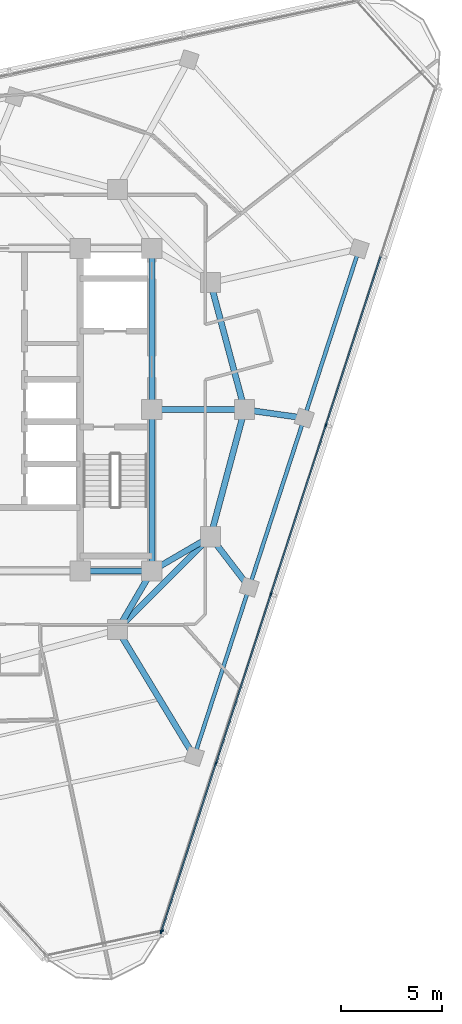
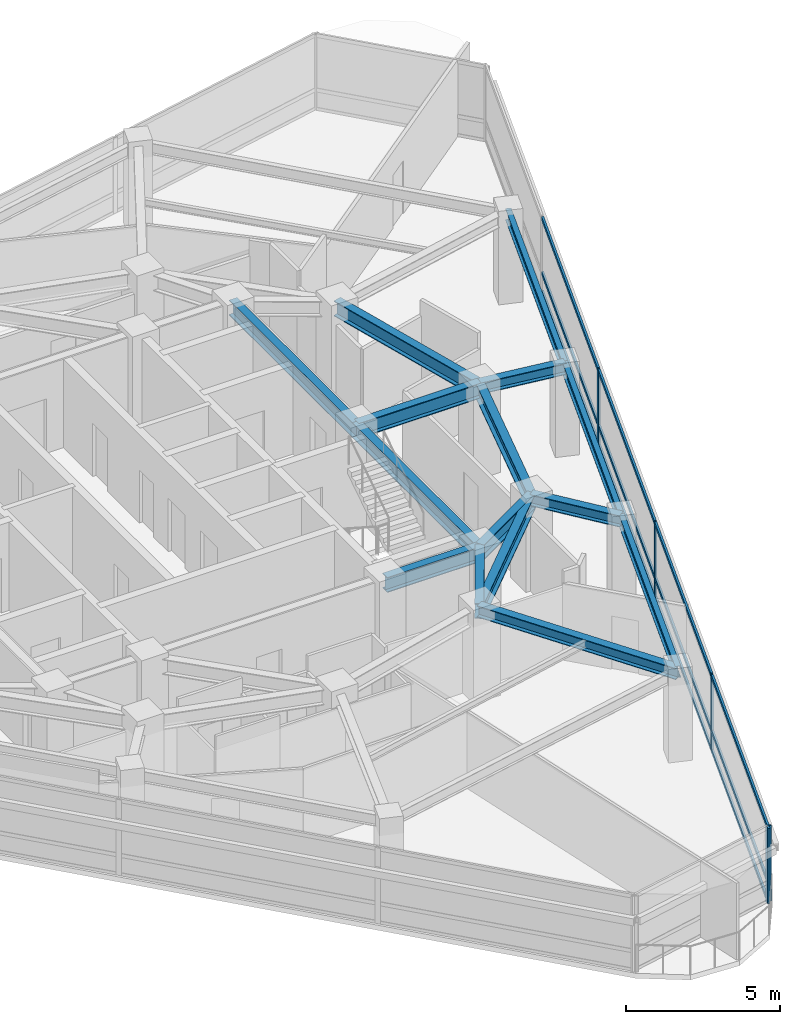
# One storey, part 4 of 15: 17 members, 15 beams, 2 elements without a shape of their own.
"""IFC4 building model written with IfcOpenShell, lengths in metres."""

from ifc_helpers import new_model, si_unit, direction, frame, origin, origin_2d, place, context, subcontext, project, spatial, rectangle, i_section, extrude, material, layer, layer_set, material_profile, profile_set, type_object, element, aggregate, save


model = new_model("IFC4")

# Units and contexts
model_context = context("Model", 3, precision=1e-05, world=origin(), true_north=direction((0.0, 1.0)))
body_context = subcontext(model_context, "Body", "Model", "MODEL_VIEW")
ifc_project = project(units=[si_unit("LENGTHUNIT", "METRE"), si_unit("AREAUNIT", "SQUARE_METRE"), si_unit("VOLUMEUNIT", "CUBIC_METRE"), si_unit("PLANEANGLEUNIT", "RADIAN"), si_unit("MASSUNIT", "GRAM", prefix="KILO")], contexts=[model_context])

# Site, building, storey
site_placement = place(None, origin())
site = spatial("IfcSite", under=ifc_project, at=site_placement, CompositionType="ELEMENT")
building_placement = place(site_placement, origin())
building = spatial("IfcBuilding", under=site, at=building_placement, Name="Terralouvre Media Tower", CompositionType="ELEMENT")
storey_placement = place(building_placement, frame((0.0, 0.0, 283.199951171875)))
storey = spatial("IfcBuildingStorey", under=building, at=storey_placement, Name="L73", CompositionType="ELEMENT", Elevation=283.199951171875)

# Curtain wall, members
ifc_material_1 = material(Name="Low-iron laminated double glazing with solar-control coating", Category="glass")
ifc_layer_1 = layer(ifc_material_1, 0.1650390625, Name="Faceted Glass-Point Crown Curtain Wall CW-06")
ifc_layer_set_1 = layer_set([ifc_layer_1], Name="Low-iron laminated double glazing with solar-control coating")
curtain_wall_type_1 = type_object("IfcCurtainWallType", Name="Faceted Glass-Point Crown Curtain Wall CW-06", PredefinedType="NOTDEFINED", material=ifc_layer_set_1)
curtain_wall_1_placement = place(storey_placement, origin())
curtain_wall_1 = element("IfcCurtainWall", 1, at=curtain_wall_1_placement, inside=storey, type_object=curtain_wall_type_1, Name="L73 Facade Curtain Wall F0", PredefinedType="NOTDEFINED")
ifc_material_2 = material(Name="Anodised extruded aluminium 6063-T6", Category="aluminium")
ifc_material_profile_1 = material_profile(ifc_material_2, rectangle(XDim=0.074951171875, YDim=0.14990234375, at=origin_2d()), Name="ALU 75x150")
ifc_profile_set_1 = profile_set([ifc_material_profile_1], Name="Anodised extruded aluminium 6063-T6")
member_type_1 = type_object("IfcMemberType", Name="Curtain-Wall Horizontal Transom TR-150", PredefinedType="USERDEFINED", material=ifc_profile_set_1)
member_1_placement = place(storey_placement, frame((8.476806640625, -25.87060546875, 0.03759765625), z_axis=(0.309004958377, 0.951060426944, 0.0), x_axis=(-0.951060426944, 0.309004958377, 0.0)))
member_1 = element("IfcMember", 2, at=member_1_placement, type_object=member_type_1, Name="CW-06 transom 1.1", ObjectType="TRANSOM", PredefinedType="USERDEFINED", context=body_context, shape_type="SweptSolid", body=[
    extrude(rectangle(XDim=0.074951171875, YDim=0.14990234375, at=origin_2d()), origin(), (0.0, 0.0, 1.0), 8.71142578125),
])
member_2_placement = place(storey_placement, frame((8.476806640625, -25.87060546875, 0.800048828125), z_axis=(0.309004958377, 0.951060426944, 0.0), x_axis=(-0.951060426944, 0.309004958377, 0.0)))
member_2 = element("IfcMember", 3, at=member_2_placement, type_object=member_type_1, Name="CW-06 transom 1.2", ObjectType="TRANSOM", PredefinedType="USERDEFINED", context=body_context, shape_type="SweptSolid", body=[
    extrude(rectangle(XDim=0.074951171875, YDim=0.14990234375, at=origin_2d()), origin(), (0.0, 0.0, 1.0), 8.71142578125),
])
member_3_placement = place(storey_placement, frame((8.476806640625, -25.87060546875, 2.962646484375), z_axis=(0.309004958377, 0.951060426944, 0.0), x_axis=(-0.951060426944, 0.309004958377, 0.0)))
member_3 = element("IfcMember", 4, at=member_3_placement, type_object=member_type_1, Name="CW-06 transom 1.3", ObjectType="TRANSOM", PredefinedType="USERDEFINED", context=body_context, shape_type="SweptSolid", body=[
    extrude(rectangle(XDim=0.074951171875, YDim=0.14990234375, at=origin_2d()), origin(), (0.0, 0.0, 1.0), 8.71142578125),
])
member_4_placement = place(storey_placement, frame((11.19189453125, -17.51416015625, 0.03759765625), z_axis=(0.309019188079, 0.951055803515, 0.0), x_axis=(-0.951055803515, 0.309019188079, 0.0)))
member_4 = element("IfcMember", 5, at=member_4_placement, type_object=member_type_1, Name="CW-06 transom 2.1", ObjectType="TRANSOM", PredefinedType="USERDEFINED", context=body_context, shape_type="SweptSolid", body=[
    extrude(rectangle(XDim=0.074951171875, YDim=0.14990234375, at=origin_2d()), origin(), (0.0, 0.0, 1.0), 8.7490234375),
])
member_5_placement = place(storey_placement, frame((11.19189453125, -17.51416015625, 0.800048828125), z_axis=(0.309019188079, 0.951055803515, 0.0), x_axis=(-0.951055803515, 0.309019188079, 0.0)))
member_5 = element("IfcMember", 6, at=member_5_placement, type_object=member_type_1, Name="CW-06 transom 2.2", ObjectType="TRANSOM", PredefinedType="USERDEFINED", context=body_context, shape_type="SweptSolid", body=[
    extrude(rectangle(XDim=0.074951171875, YDim=0.14990234375, at=origin_2d()), origin(), (0.0, 0.0, 1.0), 8.7490234375),
])
member_6_placement = place(storey_placement, frame((11.19189453125, -17.51416015625, 2.962646484375), z_axis=(0.309019188079, 0.951055803515, 0.0), x_axis=(-0.951055803515, 0.309019188079, 0.0)))
member_6 = element("IfcMember", 7, at=member_6_placement, type_object=member_type_1, Name="CW-06 transom 2.3", ObjectType="TRANSOM", PredefinedType="USERDEFINED", context=body_context, shape_type="SweptSolid", body=[
    extrude(rectangle(XDim=0.074951171875, YDim=0.14990234375, at=origin_2d()), origin(), (0.0, 0.0, 1.0), 8.7490234375),
])
member_7_placement = place(storey_placement, frame((13.918701171875, -9.1220703125, 0.03759765625), z_axis=(0.309019188079, 0.951055803515, 0.0), x_axis=(-0.951055803515, 0.309019188079, 0.0)))
member_7 = element("IfcMember", 8, at=member_7_placement, type_object=member_type_1, Name="CW-06 transom 3.1", ObjectType="TRANSOM", PredefinedType="USERDEFINED", context=body_context, shape_type="SweptSolid", body=[
    extrude(rectangle(XDim=0.074951171875, YDim=0.14990234375, at=origin_2d()), origin(), (0.0, 0.0, 1.0), 8.7490234375),
])
member_8_placement = place(storey_placement, frame((13.918701171875, -9.1220703125, 0.800048828125), z_axis=(0.309019188079, 0.951055803515, 0.0), x_axis=(-0.951055803515, 0.309019188079, 0.0)))
member_8 = element("IfcMember", 9, at=member_8_placement, type_object=member_type_1, Name="CW-06 transom 3.2", ObjectType="TRANSOM", PredefinedType="USERDEFINED", context=body_context, shape_type="SweptSolid", body=[
    extrude(rectangle(XDim=0.074951171875, YDim=0.14990234375, at=origin_2d()), origin(), (0.0, 0.0, 1.0), 8.7490234375),
])
member_9_placement = place(storey_placement, frame((13.918701171875, -9.1220703125, 2.962646484375), z_axis=(0.309019188079, 0.951055803515, 0.0), x_axis=(-0.951055803515, 0.309019188079, 0.0)))
member_9 = element("IfcMember", 10, at=member_9_placement, type_object=member_type_1, Name="CW-06 transom 3.3", ObjectType="TRANSOM", PredefinedType="USERDEFINED", context=body_context, shape_type="SweptSolid", body=[
    extrude(rectangle(XDim=0.074951171875, YDim=0.14990234375, at=origin_2d()), origin(), (0.0, 0.0, 1.0), 8.7490234375),
])
member_10_placement = place(storey_placement, frame((16.6455078125, -0.72998046875, 0.03759765625), z_axis=(0.309019188079, 0.951055803515, 0.0), x_axis=(-0.951055803515, 0.309019188079, 0.0)))
member_10 = element("IfcMember", 11, at=member_10_placement, type_object=member_type_1, Name="CW-06 transom 4.1", ObjectType="TRANSOM", PredefinedType="USERDEFINED", context=body_context, shape_type="SweptSolid", body=[
    extrude(rectangle(XDim=0.074951171875, YDim=0.14990234375, at=origin_2d()), origin(), (0.0, 0.0, 1.0), 8.7490234375),
])
member_11_placement = place(storey_placement, frame((16.6455078125, -0.72998046875, 0.800048828125), z_axis=(0.309019188079, 0.951055803515, 0.0), x_axis=(-0.951055803515, 0.309019188079, 0.0)))
member_11 = element("IfcMember", 12, at=member_11_placement, type_object=member_type_1, Name="CW-06 transom 4.2", ObjectType="TRANSOM", PredefinedType="USERDEFINED", context=body_context, shape_type="SweptSolid", body=[
    extrude(rectangle(XDim=0.074951171875, YDim=0.14990234375, at=origin_2d()), origin(), (0.0, 0.0, 1.0), 8.7490234375),
])
member_12_placement = place(storey_placement, frame((16.6455078125, -0.72998046875, 2.962646484375), z_axis=(0.309019188079, 0.951055803515, 0.0), x_axis=(-0.951055803515, 0.309019188079, 0.0)))
member_12 = element("IfcMember", 13, at=member_12_placement, type_object=member_type_1, Name="CW-06 transom 4.3", ObjectType="TRANSOM", PredefinedType="USERDEFINED", context=body_context, shape_type="SweptSolid", body=[
    extrude(rectangle(XDim=0.074951171875, YDim=0.14990234375, at=origin_2d()), origin(), (0.0, 0.0, 1.0), 8.7490234375),
])
ifc_material_3 = material(Name="Anodised extruded aluminium 6063-T6", Category="aluminium")
ifc_material_profile_2 = material_profile(ifc_material_3, rectangle(XDim=0.074951171875, YDim=0.179931640625, at=origin_2d()), Name="ALU 75x180")
ifc_profile_set_2 = profile_set([ifc_material_profile_2], Name="Anodised extruded aluminium 6063-T6")
member_type_2 = type_object("IfcMemberType", Name="Curtain-Wall Vertical Mullion ML-180", PredefinedType="MULLION", material=ifc_profile_set_2)
member_13_placement = place(storey_placement, frame((8.465087890625, -25.90625, 0.0), z_axis=(0.0, 0.0, 1.0), x_axis=(-0.951056507337, 0.309017021946, 0.0)))
member_13 = element("IfcMember", 14, at=member_13_placement, type_object=member_type_2, Name="CW-06 mullion 1", PredefinedType="MULLION", context=body_context, shape_type="SweptSolid", body=[
    extrude(rectangle(XDim=0.074951171875, YDim=0.179931640625, at=origin_2d()), origin(), (0.0, 0.0, 1.0), 3.0),
])
member_14_placement = place(storey_placement, frame((11.180419921875, -17.5498046875, 0.0), z_axis=(0.0, 0.0, 1.0), x_axis=(-0.951056507337, 0.309017021946, 0.0)))
member_14 = element("IfcMember", 15, at=member_14_placement, type_object=member_type_2, Name="CW-06 mullion 2", PredefinedType="MULLION", context=body_context, shape_type="SweptSolid", body=[
    extrude(rectangle(XDim=0.074951171875, YDim=0.179931640625, at=origin_2d()), origin(), (0.0, 0.0, 1.0), 3.0),
])
member_15_placement = place(storey_placement, frame((13.9072265625, -9.15771484375, 0.0), z_axis=(0.0, 0.0, 1.0), x_axis=(-0.951056507337, 0.309017021946, 0.0)))
member_15 = element("IfcMember", 16, at=member_15_placement, type_object=member_type_2, Name="CW-06 mullion 3", PredefinedType="MULLION", context=body_context, shape_type="SweptSolid", body=[
    extrude(rectangle(XDim=0.074951171875, YDim=0.179931640625, at=origin_2d()), origin(), (0.0, 0.0, 1.0), 3.0),
])
member_16_placement = place(storey_placement, frame((16.6337890625, -0.765625, 0.0), z_axis=(0.0, 0.0, 1.0), x_axis=(-0.951056507337, 0.309017021946, 0.0)))
member_16 = element("IfcMember", 17, at=member_16_placement, type_object=member_type_2, Name="CW-06 mullion 4", PredefinedType="MULLION", context=body_context, shape_type="SweptSolid", body=[
    extrude(rectangle(XDim=0.074951171875, YDim=0.179931640625, at=origin_2d()), origin(), (0.0, 0.0, 1.0), 3.0),
])
aggregate(curtain_wall_1, [member_13, member_14, member_15, member_16, member_1, member_2, member_3, member_4, member_5, member_6, member_7, member_8, member_9, member_10, member_11, member_12])

# Curtain wall, member
ifc_material_4 = material(Name="Low-iron laminated double glazing with solar-control coating", Category="glass")
ifc_layer_2 = layer(ifc_material_4, 0.1650390625, Name="Rounded Wind-Corner Curved Glazing CW-04")
ifc_layer_set_2 = layer_set([ifc_layer_2], Name="Low-iron laminated double glazing with solar-control coating")
curtain_wall_type_2 = type_object("IfcCurtainWallType", Name="Rounded Wind-Corner Curved Glazing CW-04", PredefinedType="NOTDEFINED", material=ifc_layer_set_2)
curtain_wall_2_placement = place(storey_placement, origin())
curtain_wall_2 = element("IfcCurtainWall", 18, at=curtain_wall_2_placement, inside=storey, type_object=curtain_wall_type_2, Name="L73 Rounded Wind-Corner Curtain Wall C0", PredefinedType="NOTDEFINED")
member_17_placement = place(storey_placement, frame((8.501953125, -25.849853515625, 0.0), z_axis=(0.0, 0.0, 1.0), x_axis=(-0.207911647592, 0.978147609922, 0.0)))
member_17 = element("IfcMember", 19, at=member_17_placement, type_object=member_type_2, Name="CW-04 mullion 2", PredefinedType="MULLION", context=body_context, shape_type="SweptSolid", body=[
    extrude(rectangle(XDim=0.074951171875, YDim=0.179931640625, at=origin_2d()), origin(), (0.0, 0.0, 1.0), 3.0),
])
aggregate(curtain_wall_2, [member_17])

# Beams
ifc_material_5 = material(Name="Structural steel S355J2", Category="steel")
ifc_material_profile_3 = material_profile(ifc_material_5, i_section(OverallWidth=0.18994140625, OverallDepth=0.449951171875, WebThickness=0.009521484375, FlangeThickness=0.0146484375, at=origin_2d()), Name="IPE 450")
ifc_profile_set_3 = profile_set([ifc_material_profile_3], Name="Structural steel S355J2")
beam_type_1 = type_object("IfcBeamType", Name="Perimeter Spandrel Beam SPB-450 (IPE 450)", PredefinedType="SPANDREL", material=ifc_profile_set_3)
for number, where, z_axis, x_axis, name in (
    (20, (10.105712890625, -17.20068359375, 3.275146484375), (0.309022258842, 0.95105480575, 0.0), (-0.95105480575, 0.309022258842, 0.0), "L73 Framing Beam BM-L73-PR05"),
    (21, (12.83251953125, -8.80859375, 3.275146484375), (0.308997232802, 0.951062936992, 0.0), (-0.951062936992, 0.308997232802, 0.0), "L73 Framing Beam BM-L73-PR06"),
):
    element("IfcBeam", number, at=place(storey_placement, frame(where, z_axis=z_axis, x_axis=x_axis)), inside=storey, type_object=beam_type_1, Name=name, PredefinedType="SPANDREL", context=body_context, shape_type="SweptSolid", body=[
        extrude(i_section(OverallWidth=0.18994140625, OverallDepth=0.449951171875, WebThickness=0.009521484375, FlangeThickness=0.0146484375, at=origin_2d()), origin(), (0.0, 0.0, 1.0), 8.823974609375),
    ])
beam_1_placement = place(storey_placement, frame((15.55908203125, -0.41650390625, 3.275146484375), z_axis=(0.309014127542, 0.951057447781, 0.0), x_axis=(-0.951057447781, 0.309014127542, 0.0)))
element("IfcBeam", 22, at=beam_1_placement, inside=storey, type_object=beam_type_1, Name="L73 Framing Beam BM-L73-PR07", PredefinedType="SPANDREL", context=body_context, shape_type="SweptSolid", body=[
    extrude(i_section(OverallWidth=0.18994140625, OverallDepth=0.449951171875, WebThickness=0.009521484375, FlangeThickness=0.0146484375, at=origin_2d()), origin(), (0.0, 0.0, 1.0), 8.82421875),
])
ifc_material_6 = material(Name="Structural steel S355J2", Category="steel")
ifc_material_profile_4 = material_profile(ifc_material_6, i_section(OverallWidth=0.300048828125, OverallDepth=0.449951171875, WebThickness=0.013916015625, FlangeThickness=0.02587890625, at=origin_2d()), Name="HEB 450")
ifc_profile_set_4 = profile_set([ifc_material_profile_4], Name="Structural steel S355J2")
beam_type_2 = type_object("IfcBeamType", Name="Primary Floor Girder B-HEB450 (HEB 450)", PredefinedType="BEAM", material=ifc_profile_set_4)
beam_2_placement = place(storey_placement, frame((6.300048828125, -10.911865234375, 3.275146484375), z_axis=(0.517730392552, -0.855543827415, 0.0), x_axis=(0.855543827415, 0.517730392552, 0.0)))
element("IfcBeam", 23, at=beam_2_placement, inside=storey, type_object=beam_type_2, Name="L73 Framing Beam BM-L73-RD05", PredefinedType="BEAM", context=body_context, shape_type="SweptSolid", body=[
    extrude(i_section(OverallWidth=0.300048828125, OverallDepth=0.449951171875, WebThickness=0.013916015625, FlangeThickness=0.02587890625, at=origin_2d()), origin(), (0.0, 0.0, 1.0), 7.3505859375),
])
beam_3_placement = place(storey_placement, frame((10.911865234375, -6.300048828125, 3.275146484375), z_axis=(0.607920398404, -0.793997978086, 0.0), x_axis=(0.793997978086, 0.607920398404, 0.0)))
element("IfcBeam", 24, at=beam_3_placement, inside=storey, type_object=beam_type_2, Name="L73 Framing Beam BM-L73-RD06", PredefinedType="BEAM", context=body_context, shape_type="SweptSolid", body=[
    extrude(i_section(OverallWidth=0.300048828125, OverallDepth=0.449951171875, WebThickness=0.013916015625, FlangeThickness=0.02587890625, at=origin_2d()), origin(), (0.0, 0.0, 1.0), 3.159423828125),
])
beam_4_placement = place(storey_placement, frame((12.60009765625, 0.0, 3.275146484375), z_axis=(0.990238261961, -0.139385022682, 0.0), x_axis=(0.139385022682, 0.990238261961, 0.0)))
element("IfcBeam", 25, at=beam_4_placement, inside=storey, type_object=beam_type_2, Name="L73 Framing Beam BM-L73-RD07", PredefinedType="BEAM", context=body_context, shape_type="SweptSolid", body=[
    extrude(i_section(OverallWidth=0.300048828125, OverallDepth=0.449951171875, WebThickness=0.013916015625, FlangeThickness=0.02587890625, at=origin_2d()), origin(), (0.0, 0.0, 1.0), 2.988037109375),
])
ifc_material_7 = material(Name="Structural steel S460M", Category="steel")
ifc_material_profile_5 = material_profile(ifc_material_7, i_section(OverallWidth=0.300048828125, OverallDepth=0.60009765625, WebThickness=0.015380859375, FlangeThickness=0.030029296875, at=origin_2d()), Name="HEB 600")
ifc_profile_set_5 = profile_set([ifc_material_profile_5], Name="Structural steel S460M")
beam_type_3 = type_object("IfcBeamType", Name="Primary Floor Girder B-HEB600 (HEB 600)", PredefinedType="BEAM", material=ifc_profile_set_5)
beam_5_placement = place(storey_placement, frame((4.449951171875, -8.0, 3.199951171875), z_axis=(1.0, 0.0, 0.0), x_axis=(0.0, 1.0, 0.0)))
element("IfcBeam", 26, at=beam_5_placement, inside=storey, type_object=beam_type_3, Name="L73 Framing Beam BM-L73-CPR03", PredefinedType="BEAM", context=body_context, shape_type="SweptSolid", body=[
    extrude(i_section(OverallWidth=0.300048828125, OverallDepth=0.60009765625, WebThickness=0.015380859375, FlangeThickness=0.030029296875, at=origin_2d()), origin(), (0.0, 0.0, 1.0), 3.550048828125),
])
for number, where, z_axis, x_axis, name in (
    (27, (8.0, -8.0, 3.199951171875), (0.0, 1.0, 0.0), (-1.0, 0.0, 0.0), "L73 Framing Beam BM-L73-CPR04"),
    (28, (8.0, 0.0, 3.199951171875), (0.0, 1.0, 0.0), (-1.0, 0.0, 0.0), "L73 Framing Beam BM-L73-CPR05"),
):
    element("IfcBeam", number, at=place(storey_placement, frame(where, z_axis=z_axis, x_axis=x_axis)), inside=storey, type_object=beam_type_3, Name=name, PredefinedType="BEAM", context=body_context, shape_type="SweptSolid", body=[
        extrude(i_section(OverallWidth=0.300048828125, OverallDepth=0.60009765625, WebThickness=0.015380859375, FlangeThickness=0.030029296875, at=origin_2d()), origin(), (0.0, 0.0, 1.0), 8.0),
    ])
beam_6_placement = place(storey_placement, frame((6.300048828125, -10.911865234375, 3.199951171875), z_axis=(0.707106781187, 0.707106781187, 0.0), x_axis=(-0.707106781187, 0.707106781187, 0.0)))
element("IfcBeam", 29, at=beam_6_placement, inside=storey, type_object=beam_type_3, Name="L73 Framing Beam BM-L73-MR04", PredefinedType="BEAM", context=body_context, shape_type="SweptSolid", body=[
    extrude(i_section(OverallWidth=0.300048828125, OverallDepth=0.60009765625, WebThickness=0.015380859375, FlangeThickness=0.030029296875, at=origin_2d()), origin(), (0.0, 0.0, 1.0), 6.52197265625),
])
for number, where, z_axis, x_axis, name in (
    (30, (10.911865234375, -6.300048828125, 3.199951171875), (0.258838989821, 0.965920481897, 0.0), (-0.965920481897, 0.258838989821, 0.0), "L73 Framing Beam BM-L73-MR05"),
    (31, (12.60009765625, 0.0, 3.199951171875), (-0.258838989821, 0.965920481897, 0.0), (-0.965920481897, -0.258838989821, 0.0), "L73 Framing Beam BM-L73-MR06"),
):
    element("IfcBeam", number, at=place(storey_placement, frame(where, z_axis=z_axis, x_axis=x_axis)), inside=storey, type_object=beam_type_3, Name=name, PredefinedType="BEAM", context=body_context, shape_type="SweptSolid", body=[
        extrude(i_section(OverallWidth=0.300048828125, OverallDepth=0.60009765625, WebThickness=0.015380859375, FlangeThickness=0.030029296875, at=origin_2d()), origin(), (0.0, 0.0, 1.0), 6.522216796875),
    ])
for number, where, z_axis, x_axis, name in (
    (32, (8.0, -8.0, 3.199951171875), (-0.504172629717, -0.863602894532, 0.0), (0.863602894532, -0.504172629717, 0.0), "L73 Framing Beam BM-L73-CM04"),
    (33, (8.0, -8.0, 3.199951171875), (0.863602894532, 0.504172629717, 0.0), (-0.504172629717, 0.863602894532, 0.0), "L73 Framing Beam BM-L73-CM05"),
):
    element("IfcBeam", number, at=place(storey_placement, frame(where, z_axis=z_axis, x_axis=x_axis)), inside=storey, type_object=beam_type_3, Name=name, PredefinedType="BEAM", context=body_context, shape_type="SweptSolid", body=[
        extrude(i_section(OverallWidth=0.300048828125, OverallDepth=0.60009765625, WebThickness=0.015380859375, FlangeThickness=0.030029296875, at=origin_2d()), origin(), (0.0, 0.0, 1.0), 3.371826171875),
    ])
beam_7_placement = place(storey_placement, frame((8.0, 0.0, 3.199951171875), z_axis=(1.0, 0.0, 0.0), x_axis=(0.0, 1.0, 0.0)))
element("IfcBeam", 34, at=beam_7_placement, inside=storey, type_object=beam_type_3, Name="L73 Framing Beam BM-L73-CM06", PredefinedType="BEAM", context=body_context, shape_type="SweptSolid", body=[
    extrude(i_section(OverallWidth=0.300048828125, OverallDepth=0.60009765625, WebThickness=0.015380859375, FlangeThickness=0.030029296875, at=origin_2d()), origin(), (0.0, 0.0, 1.0), 4.60009765625),
])

save(model, "model.ifc")
